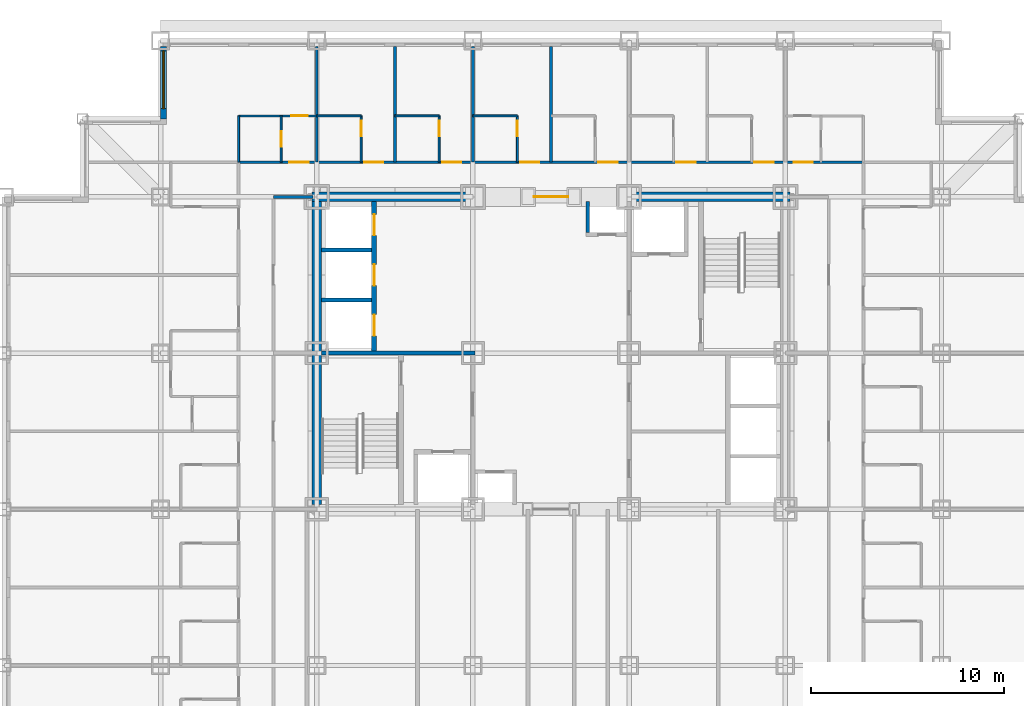
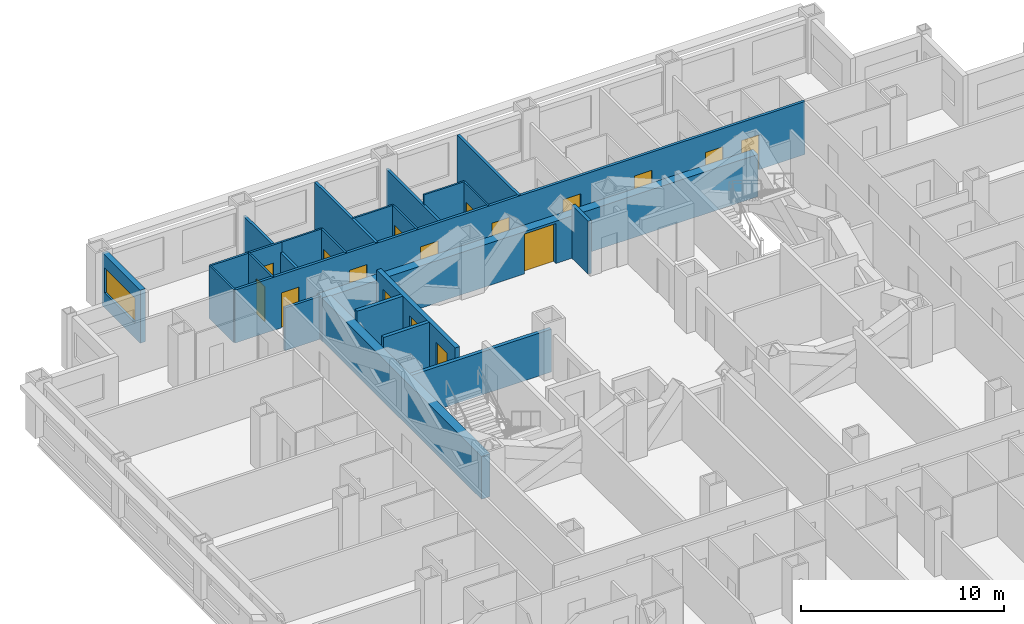
# One storey, part 8 of 11: 23 walls, 17 doors, 1 window, 18 openings.
"""IFC4 building model written with IfcOpenShell, lengths in metres."""

from ifc_helpers import new_model, si_unit, direction, frame, frame_2d, origin, place, context, subcontext, project, spatial, rectangle, extrude, material, layer, layer_set, type_object, element, fill, save


model = new_model("IFC4")

# Units and contexts
model_context = context("Model", 3, precision=1e-05, world=origin(), true_north=direction((0.0, 1.0)))
body_context = subcontext(model_context, "Body", "Model", "MODEL_VIEW")
ifc_project = project(units=[si_unit("LENGTHUNIT", "METRE"), si_unit("AREAUNIT", "SQUARE_METRE"), si_unit("VOLUMEUNIT", "CUBIC_METRE"), si_unit("PLANEANGLEUNIT", "RADIAN"), si_unit("MASSUNIT", "GRAM", prefix="KILO")], contexts=[model_context])

# Site, building, storey
site_placement = place(None, origin())
site = spatial("IfcSite", under=ifc_project, at=site_placement, CompositionType="ELEMENT")
building_placement = place(site_placement, origin())
building = spatial("IfcBuilding", under=site, at=building_placement, Name="Kopane Lantern Tower", CompositionType="ELEMENT")
storey_placement = place(building_placement, frame((0.0, 0.0, 60.199951171875)))
storey = spatial("IfcBuildingStorey", under=building, at=storey_placement, Name="L14", CompositionType="ELEMENT", Elevation=60.199951171875)

# Wall, opening, door
ifc_material_1 = material(Name="Gypsum board on steel studs", Category="steel")
ifc_layer_1 = layer(ifc_material_1, 0.1201171875)
ifc_layer_set_1 = layer_set([ifc_layer_1], Name="APARTMENT INTERNAL WALL 120")
wall_type_1 = type_object("IfcWallType", Name="APARTMENT INTERNAL WALL 120", PredefinedType="PARTITIONING", material=ifc_layer_set_1)
wall_1_placement = place(storey_placement, frame((12.14990234375, 44.699951171875, 0.0), z_axis=(0.0, 0.0, 1.0), x_axis=(1.0, 0.0, 0.0)))
wall_1 = element("IfcWall", 1, at=wall_1_placement, inside=storey, type_object=wall_type_1, Name="Apartment Internal Wall 120 L14", PredefinedType="PARTITIONING", context=body_context, shape_type="SweptSolid", body=[
    extrude(rectangle(XDim=4.050048828125, YDim=0.1201171875, at=frame_2d((2.02490234375, 0.0))), origin(), (0.0, 0.0, 1.0), 3.18994140625),
])
opening_1_placement = place(wall_1_placement, frame((2.72509765625, 0.0, 0.0)))
opening_1 = element("IfcOpeningElement", 2, at=opening_1_placement, cuts=wall_1, Name="Opening L14-075", PredefinedType="OPENING", context=body_context, shape_type="SweptSolid", body=[
    extrude(rectangle(XDim=0.85009765625, YDim=2.10009765625, at=frame_2d((0.425048828125, 1.050048828125))), frame((0.0, 0.070068359375, 0.0), z_axis=(0.0, -1.0, 0.0), x_axis=(1.0, 0.0, 0.0)), (0.0, 0.0, 1.0), 0.14013671875),
])
ifc_material_2 = material(Name="Timber door set", Category="wood")
door_type_1 = type_object("IfcDoorType", Name="DOOR D4 850x2100", OperationType="SINGLE_SWING_LEFT", PredefinedType="DOOR", material=ifc_material_2)
door_1_placement = place(opening_1_placement, origin())
door_1 = element("IfcDoor", 3, at=door_1_placement, inside=storey, type_object=door_type_1, Name="Door L14-075", OperationType="SINGLE_SWING_LEFT", OverallHeight=2.10009765625, OverallWidth=0.85009765625, PredefinedType="DOOR", context=body_context, shape_type="SweptSolid", body=[
    extrude(rectangle(XDim=0.85009765625, YDim=2.10009765625, at=frame_2d((0.425048828125, 1.050048828125))), frame((0.0, 0.02490234375, 0.0), z_axis=(0.0, -1.0, 0.0), x_axis=(1.0, 0.0, 0.0)), (0.0, 0.0, 1.0), 0.050048828125),
])
fill(opening_1, door_1)

# Wall
ifc_material_3 = material(Name="Moisture-resistant board on steel studs", Category="steel")
ifc_layer_2 = layer(ifc_material_3, 0.10009765625)
ifc_layer_set_2 = layer_set([ifc_layer_2], Name="BATHROOM WALL 100")
wall_type_2 = type_object("IfcWallType", Name="BATHROOM WALL 100", PredefinedType="PARTITIONING", material=ifc_layer_set_2)
wall_2_placement = place(storey_placement, frame((16.199951171875, 44.699951171875, 0.0), z_axis=(0.0, 0.0, 1.0), x_axis=(1.0, 0.0, 0.0)))
element("IfcWall", 4, at=wall_2_placement, inside=storey, type_object=wall_type_2, Name="Bathroom Wall 100 L14", PredefinedType="PARTITIONING", context=body_context, shape_type="SweptSolid", body=[
    extrude(rectangle(XDim=2.300048828125, YDim=0.10009765625, at=frame_2d((1.14990234375, 0.0))), origin(), (0.0, 0.0, 1.0), 3.18994140625),
])

# Wall, opening, door
wall_3_placement = place(storey_placement, frame((18.5, 42.300048828125, 0.0), z_axis=(0.0, 0.0, 1.0), x_axis=(0.0, 1.0, 0.0)))
wall_3 = element("IfcWall", 5, at=wall_3_placement, inside=storey, type_object=wall_type_2, Name="Bathroom Wall 100 L14", PredefinedType="PARTITIONING", context=body_context, shape_type="SweptSolid", body=[
    extrude(rectangle(XDim=2.39990234375, YDim=0.10009765625, at=frame_2d((1.199951171875, 0.0))), origin(), (0.0, 0.0, 1.0), 3.18994140625),
])
opening_2_placement = place(wall_3_placement, frame((1.35009765625, 0.0, 0.0)))
opening_2 = element("IfcOpeningElement", 6, at=opening_2_placement, cuts=wall_3, Name="Opening L14-023", PredefinedType="OPENING", context=body_context, shape_type="SweptSolid", body=[
    extrude(rectangle(XDim=0.800048828125, YDim=2.10009765625, at=frame_2d((0.39990234375, 1.050048828125))), frame((0.0, 0.06005859375, 0.0), z_axis=(0.0, -1.0, 0.0), x_axis=(1.0, 0.0, 0.0)), (0.0, 0.0, 1.0), 0.1201171875),
])
ifc_material_4 = material(Name="Timber door set", Category="wood")
door_type_2 = type_object("IfcDoorType", Name="DOOR D2 800x2100", OperationType="SINGLE_SWING_LEFT", PredefinedType="DOOR", material=ifc_material_4)
door_2_placement = place(opening_2_placement, origin())
door_2 = element("IfcDoor", 7, at=door_2_placement, inside=storey, type_object=door_type_2, Name="Door L14-023", OperationType="SINGLE_SWING_RIGHT", OverallHeight=2.10009765625, OverallWidth=0.800048828125, PredefinedType="DOOR", context=body_context, shape_type="SweptSolid", body=[
    extrude(rectangle(XDim=0.800048828125, YDim=2.10009765625, at=frame_2d((0.39990234375, 1.050048828125))), frame((0.0, 0.02490234375, 0.0), z_axis=(0.0, -1.0, 0.0), x_axis=(1.0, 0.0, 0.0)), (0.0, 0.0, 1.0), 0.050048828125),
])
fill(opening_2, door_2)

# Wall
wall_4_placement = place(storey_placement, frame((20.25, 44.699951171875, 0.0), z_axis=(0.0, 0.0, 1.0), x_axis=(1.0, 0.0, 0.0)))
element("IfcWall", 8, at=wall_4_placement, inside=storey, type_object=wall_type_2, Name="Bathroom Wall 100 L14", PredefinedType="PARTITIONING", context=body_context, shape_type="SweptSolid", body=[
    extrude(rectangle(XDim=2.300048828125, YDim=0.10009765625, at=frame_2d((1.14990234375, 0.0))), origin(), (0.0, 0.0, 1.0), 3.18994140625),
])

# Wall, opening, door
wall_5_placement = place(storey_placement, frame((22.550048828125, 42.300048828125, 0.0), z_axis=(0.0, 0.0, 1.0), x_axis=(0.0, 1.0, 0.0)))
wall_5 = element("IfcWall", 9, at=wall_5_placement, inside=storey, type_object=wall_type_2, Name="Bathroom Wall 100 L14", PredefinedType="PARTITIONING", context=body_context, shape_type="SweptSolid", body=[
    extrude(rectangle(XDim=2.39990234375, YDim=0.10009765625, at=frame_2d((1.199951171875, 0.0))), origin(), (0.0, 0.0, 1.0), 3.18994140625),
])
opening_3_placement = place(wall_5_placement, frame((1.35009765625, 0.0, 0.0)))
opening_3 = element("IfcOpeningElement", 10, at=opening_3_placement, cuts=wall_5, Name="Opening L14-025", PredefinedType="OPENING", context=body_context, shape_type="SweptSolid", body=[
    extrude(rectangle(XDim=0.800048828125, YDim=2.10009765625, at=frame_2d((0.39990234375, 1.050048828125))), frame((0.0, 0.06005859375, 0.0), z_axis=(0.0, -1.0, 0.0), x_axis=(1.0, 0.0, 0.0)), (0.0, 0.0, 1.0), 0.1201171875),
])
door_3_placement = place(opening_3_placement, origin())
door_3 = element("IfcDoor", 11, at=door_3_placement, inside=storey, type_object=door_type_2, Name="Door L14-025", OperationType="SINGLE_SWING_RIGHT", OverallHeight=2.10009765625, OverallWidth=0.800048828125, PredefinedType="DOOR", context=body_context, shape_type="SweptSolid", body=[
    extrude(rectangle(XDim=0.800048828125, YDim=2.10009765625, at=frame_2d((0.39990234375, 1.050048828125))), frame((0.0, 0.02490234375, 0.0), z_axis=(0.0, -1.0, 0.0), x_axis=(1.0, 0.0, 0.0)), (0.0, 0.0, 1.0), 0.050048828125),
])
fill(opening_3, door_3)

# Wall
wall_6_placement = place(storey_placement, frame((24.300048828125, 44.699951171875, 0.0), z_axis=(0.0, 0.0, 1.0), x_axis=(1.0, 0.0, 0.0)))
element("IfcWall", 12, at=wall_6_placement, inside=storey, type_object=wall_type_2, Name="Bathroom Wall 100 L14", PredefinedType="PARTITIONING", context=body_context, shape_type="SweptSolid", body=[
    extrude(rectangle(XDim=2.300048828125, YDim=0.10009765625, at=frame_2d((1.14990234375, 0.0))), origin(), (0.0, 0.0, 1.0), 3.18994140625),
])

# Wall, opening, door
wall_7_placement = place(storey_placement, frame((26.60009765625, 42.300048828125, 0.0), z_axis=(0.0, 0.0, 1.0), x_axis=(0.0, 1.0, 0.0)))
wall_7 = element("IfcWall", 13, at=wall_7_placement, inside=storey, type_object=wall_type_2, Name="Bathroom Wall 100 L14", PredefinedType="PARTITIONING", context=body_context, shape_type="SweptSolid", body=[
    extrude(rectangle(XDim=2.39990234375, YDim=0.10009765625, at=frame_2d((1.199951171875, 0.0))), origin(), (0.0, 0.0, 1.0), 3.18994140625),
])
opening_4_placement = place(wall_7_placement, frame((1.35009765625, 0.0, 0.0)))
opening_4 = element("IfcOpeningElement", 14, at=opening_4_placement, cuts=wall_7, Name="Opening L14-027", PredefinedType="OPENING", context=body_context, shape_type="SweptSolid", body=[
    extrude(rectangle(XDim=0.800048828125, YDim=2.10009765625, at=frame_2d((0.39990234375, 1.050048828125))), frame((0.0, 0.06005859375, 0.0), z_axis=(0.0, -1.0, 0.0), x_axis=(1.0, 0.0, 0.0)), (0.0, 0.0, 1.0), 0.1201171875),
])
door_4_placement = place(opening_4_placement, origin())
door_4 = element("IfcDoor", 15, at=door_4_placement, inside=storey, type_object=door_type_2, Name="Door L14-027", OperationType="SINGLE_SWING_RIGHT", OverallHeight=2.10009765625, OverallWidth=0.800048828125, PredefinedType="DOOR", context=body_context, shape_type="SweptSolid", body=[
    extrude(rectangle(XDim=0.800048828125, YDim=2.10009765625, at=frame_2d((0.39990234375, 1.050048828125))), frame((0.0, 0.02490234375, 0.0), z_axis=(0.0, -1.0, 0.0), x_axis=(1.0, 0.0, 0.0)), (0.0, 0.0, 1.0), 0.050048828125),
])
fill(opening_4, door_4)

wall_8_placement = place(storey_placement, frame((14.35009765625, 42.300048828125, 0.0), z_axis=(0.0, 0.0, 1.0), x_axis=(0.0, 1.0, 0.0)))
wall_8 = element("IfcWall", 16, at=wall_8_placement, inside=storey, type_object=wall_type_2, Name="Bathroom Wall 100 L14", PredefinedType="PARTITIONING", context=body_context, shape_type="SweptSolid", body=[
    extrude(rectangle(XDim=2.39990234375, YDim=0.10009765625, at=frame_2d((1.199951171875, 0.0))), origin(), (0.0, 0.0, 1.0), 3.18994140625),
])
opening_5_placement = place(wall_8_placement, frame((0.800048828125, 0.0, 0.0)))
opening_5 = element("IfcOpeningElement", 17, at=opening_5_placement, cuts=wall_8, Name="Opening L14-073", PredefinedType="OPENING", context=body_context, shape_type="SweptSolid", body=[
    extrude(rectangle(XDim=0.800048828125, YDim=2.10009765625, at=frame_2d((0.39990234375, 1.050048828125))), frame((0.0, 0.06005859375, 0.0), z_axis=(0.0, -1.0, 0.0), x_axis=(1.0, 0.0, 0.0)), (0.0, 0.0, 1.0), 0.1201171875),
])
door_5_placement = place(opening_5_placement, origin())
door_5 = element("IfcDoor", 18, at=door_5_placement, inside=storey, type_object=door_type_2, Name="Door L14-073", OperationType="SINGLE_SWING_LEFT", OverallHeight=2.10009765625, OverallWidth=0.800048828125, PredefinedType="DOOR", context=body_context, shape_type="SweptSolid", body=[
    extrude(rectangle(XDim=0.800048828125, YDim=2.10009765625, at=frame_2d((0.39990234375, 1.050048828125))), frame((0.0, 0.02490234375, 0.0), z_axis=(0.0, -1.0, 0.0), x_axis=(1.0, 0.0, 0.0)), (0.0, 0.0, 1.0), 0.050048828125),
])
fill(opening_5, door_5)

# Wall
wall_9_placement = place(storey_placement, frame((12.14990234375, 42.300048828125, 0.0), z_axis=(0.0, 0.0, 1.0), x_axis=(0.0, 1.0, 0.0)))
element("IfcWall", 19, at=wall_9_placement, inside=storey, type_object=wall_type_2, Name="Bathroom Wall 100 L14", PredefinedType="PARTITIONING", context=body_context, shape_type="SweptSolid", body=[
    extrude(rectangle(XDim=2.39990234375, YDim=0.10009765625, at=frame_2d((1.199951171875, 0.0))), origin(), (0.0, 0.0, 1.0), 3.18994140625),
])

# Wall, opening, door
ifc_material_5 = material(Name="Gypsum shaft wall EI 120", Category="gypsum")
ifc_layer_3 = layer(ifc_material_5, 0.5)
ifc_layer_set_3 = layer_set([ifc_layer_3], Name="CORE PERIMETER WALL 500 EI 120")
wall_type_3 = type_object("IfcWallType", Name="CORE PERIMETER WALL 500 EI 120", PredefinedType="SOLIDWALL", material=ifc_layer_set_3)
wall_10_placement = place(storey_placement, frame((15.949951171875, 40.5, 0.0), z_axis=(0.0, 0.0, 1.0), x_axis=(1.0, 0.0, 0.0)))
wall_10 = element("IfcWall", 20, at=wall_10_placement, inside=storey, type_object=wall_type_3, Name="Core shaft wall L14 PN", PredefinedType="SOLIDWALL", context=body_context, shape_type="SweptSolid", body=[
    extrude(rectangle(XDim=24.800048828125, YDim=0.5, at=frame_2d((12.39990234375, 0.0))), origin(), (0.0, 0.0, 1.0), 2.5400390625),
])
opening_6_placement = place(wall_10_placement, frame((11.5, 0.0, 0.0)))
opening_6 = element("IfcOpeningElement", 21, at=opening_6_placement, cuts=wall_10, Name="Opening 14.CE-N", PredefinedType="OPENING", context=body_context, shape_type="SweptSolid", body=[
    extrude(rectangle(XDim=1.800048828125, YDim=2.39990234375, at=frame_2d((0.89990234375, 1.199951171875))), frame((0.0, 0.260009765625, 0.0), z_axis=(0.0, -1.0, 0.0), x_axis=(1.0, 0.0, 0.0)), (0.0, 0.0, 1.0), 0.52001953125),
])
ifc_material_6 = material(Name="Steel door set", Category="steel")
door_type_3 = type_object("IfcDoorType", Name="CORE ENTRY DOOR 1800x2400 FD60S", OperationType="DOUBLE_DOOR_SINGLE_SWING", PredefinedType="DOOR", material=ifc_material_6)
door_6_placement = place(opening_6_placement, origin())
door_6 = element("IfcDoor", 22, at=door_6_placement, inside=storey, type_object=door_type_3, Name="Core entry door L14 north", OperationType="DOUBLE_DOOR_SINGLE_SWING", OverallHeight=2.39990234375, OverallWidth=1.800048828125, PredefinedType="DOOR", context=body_context, shape_type="SweptSolid", body=[
    extrude(rectangle(XDim=1.800048828125, YDim=2.39990234375, at=frame_2d((0.89990234375, 1.199951171875))), frame((0.0, 0.02490234375, 0.0), z_axis=(0.0, -1.0, 0.0), x_axis=(1.0, 0.0, 0.0)), (0.0, 0.0, 1.0), 0.050048828125),
])
fill(opening_6, door_6)

# Wall
wall_11_placement = place(storey_placement, frame((16.199951171875, 24.550048828125, 0.0), z_axis=(0.0, 0.0, 1.0), x_axis=(0.0, 1.0, 0.0)))
element("IfcWall", 23, at=wall_11_placement, inside=storey, type_object=wall_type_3, Name="Core shaft wall L14 PW", PredefinedType="SOLIDWALL", context=body_context, shape_type="SweptSolid", body=[
    extrude(rectangle(XDim=15.699951171875, YDim=0.5, at=frame_2d((7.85009765625, 0.0))), origin(), (0.0, 0.0, 1.0), 2.577880859375),
])

# Wall, openings, doors
ifc_material_7 = material(Name="Gypsum shaft wall EI 120", Category="gypsum")
ifc_layer_4 = layer(ifc_material_7, 0.25)
ifc_layer_set_4 = layer_set([ifc_layer_4], Name="CORE SHAFT WALL 250 EI 120")
wall_type_4 = type_object("IfcWallType", Name="CORE SHAFT WALL 250 EI 120", PredefinedType="SOLIDWALL", material=ifc_layer_set_4)
wall_12_placement = place(storey_placement, frame((19.175048828125, 32.5, 0.0), z_axis=(0.0, 0.0, 1.0), x_axis=(0.0, 1.0, 0.0)))
wall_12 = element("IfcWall", 24, at=wall_12_placement, inside=storey, type_object=wall_type_4, Name="Core shaft wall L14 XLH", PredefinedType="SOLIDWALL", context=body_context, shape_type="SweptSolid", body=[
    extrude(rectangle(XDim=7.75, YDim=0.25, at=frame_2d((3.875, 0.0))), origin(), (0.0, 0.0, 1.0), 3.18994140625),
])
opening_7_placement = place(wall_12_placement, frame((0.800048828125, 0.0, 0.0)))
opening_7 = element("IfcOpeningElement", 25, at=opening_7_placement, cuts=wall_12, Name="Opening 14.LD-LH1", PredefinedType="OPENING", context=body_context, shape_type="SweptSolid", body=[
    extrude(rectangle(XDim=1.10009765625, YDim=2.39990234375, at=frame_2d((0.550048828125, 1.199951171875))), frame((0.0, 0.135009765625, 0.0), z_axis=(0.0, -1.0, 0.0), x_axis=(1.0, 0.0, 0.0)), (0.0, 0.0, 1.0), 0.27001953125),
])
opening_8_placement = place(wall_12_placement, frame((3.39990234375, 0.0, 0.0)))
opening_8 = element("IfcOpeningElement", 26, at=opening_8_placement, cuts=wall_12, Name="Opening 14.LD-LH2", PredefinedType="OPENING", context=body_context, shape_type="SweptSolid", body=[
    extrude(rectangle(XDim=1.10009765625, YDim=2.39990234375, at=frame_2d((0.550048828125, 1.199951171875))), frame((0.0, 0.135009765625, 0.0), z_axis=(0.0, -1.0, 0.0), x_axis=(1.0, 0.0, 0.0)), (0.0, 0.0, 1.0), 0.27001953125),
])
opening_9_placement = place(wall_12_placement, frame((6.0, 0.0, 0.0)))
opening_9 = element("IfcOpeningElement", 27, at=opening_9_placement, cuts=wall_12, Name="Opening 14.LD-LH3", PredefinedType="OPENING", context=body_context, shape_type="SweptSolid", body=[
    extrude(rectangle(XDim=1.10009765625, YDim=2.39990234375, at=frame_2d((0.550048828125, 1.199951171875))), frame((0.0, 0.135009765625, 0.0), z_axis=(0.0, -1.0, 0.0), x_axis=(1.0, 0.0, 0.0)), (0.0, 0.0, 1.0), 0.27001953125),
])
ifc_material_8 = material(Name="Steel door set", Category="steel")
door_type_4 = type_object("IfcDoorType", Name="LIFT LANDING DOOR 1100x2400 FD60", OperationType="DOUBLE_DOOR_SLIDING", PredefinedType="DOOR", material=ifc_material_8)
door_7_placement = place(opening_7_placement, origin())
door_7 = element("IfcDoor", 28, at=door_7_placement, inside=storey, type_object=door_type_4, Name="Landing door LH1 L14", OperationType="DOUBLE_DOOR_SLIDING", OverallHeight=2.39990234375, OverallWidth=1.10009765625, PredefinedType="DOOR", context=body_context, shape_type="SweptSolid", body=[
    extrude(rectangle(XDim=1.10009765625, YDim=2.39990234375, at=frame_2d((0.550048828125, 1.199951171875))), frame((0.0, 0.02490234375, 0.0), z_axis=(0.0, -1.0, 0.0), x_axis=(1.0, 0.0, 0.0)), (0.0, 0.0, 1.0), 0.050048828125),
])
fill(opening_7, door_7)
door_8_placement = place(opening_8_placement, origin())
door_8 = element("IfcDoor", 29, at=door_8_placement, inside=storey, type_object=door_type_4, Name="Landing door LH2 L14", OperationType="DOUBLE_DOOR_SLIDING", OverallHeight=2.39990234375, OverallWidth=1.10009765625, PredefinedType="DOOR", context=body_context, shape_type="SweptSolid", body=[
    extrude(rectangle(XDim=1.10009765625, YDim=2.39990234375, at=frame_2d((0.550048828125, 1.199951171875))), frame((0.0, 0.02490234375, 0.0), z_axis=(0.0, -1.0, 0.0), x_axis=(1.0, 0.0, 0.0)), (0.0, 0.0, 1.0), 0.050048828125),
])
fill(opening_8, door_8)
door_9_placement = place(opening_9_placement, origin())
door_9 = element("IfcDoor", 30, at=door_9_placement, inside=storey, type_object=door_type_4, Name="Landing door LH3 L14", OperationType="DOUBLE_DOOR_SLIDING", OverallHeight=2.39990234375, OverallWidth=1.10009765625, PredefinedType="DOOR", context=body_context, shape_type="SweptSolid", body=[
    extrude(rectangle(XDim=1.10009765625, YDim=2.39990234375, at=frame_2d((0.550048828125, 1.199951171875))), frame((0.0, 0.02490234375, 0.0), z_axis=(0.0, -1.0, 0.0), x_axis=(1.0, 0.0, 0.0)), (0.0, 0.0, 1.0), 0.050048828125),
])
fill(opening_9, door_9)

ifc_material_9 = material(Name="Gypsum board on steel studs", Category="steel")
ifc_layer_5 = layer(ifc_material_9, 0.14990234375)
ifc_layer_set_5 = layer_set([ifc_layer_5], Name="CORRIDOR WALL 150 EI 60")
wall_type_5 = type_object("IfcWallType", Name="CORRIDOR WALL 150 EI 60", PredefinedType="PARTITIONING", material=ifc_layer_set_5)
wall_13_placement = place(storey_placement, frame((12.14990234375, 42.300048828125, 0.0), z_axis=(0.0, 0.0, 1.0), x_axis=(1.0, 0.0, 0.0)))
wall_13 = element("IfcWall", 31, at=wall_13_placement, inside=storey, type_object=wall_type_5, Name="Corridor Wall 150 Ei 60 L14", PredefinedType="PARTITIONING", context=body_context, shape_type="SweptSolid", body=[
    extrude(rectangle(XDim=32.400146484375, YDim=0.14990234375, at=frame_2d((16.2001953125, 0.0))), origin(), (0.0, 0.0, 1.0), 3.18994140625),
])
opening_10_placement = place(wall_13_placement, frame((6.5, 0.0, 0.0)))
opening_10 = element("IfcOpeningElement", 32, at=opening_10_placement, cuts=wall_13, Name="Opening L14-024", PredefinedType="OPENING", context=body_context, shape_type="SweptSolid", body=[
    extrude(rectangle(XDim=1.0, YDim=2.10009765625, at=frame_2d((0.5, 1.050048828125))), frame((0.0, 0.0849609375, 0.0), z_axis=(0.0, -1.0, 0.0), x_axis=(1.0, 0.0, 0.0)), (0.0, 0.0, 1.0), 0.169921875),
])
opening_11_placement = place(wall_13_placement, frame((10.550048828125, 0.0, 0.0)))
opening_11 = element("IfcOpeningElement", 33, at=opening_11_placement, cuts=wall_13, Name="Opening L14-026", PredefinedType="OPENING", context=body_context, shape_type="SweptSolid", body=[
    extrude(rectangle(XDim=1.0, YDim=2.10009765625, at=frame_2d((0.5, 1.050048828125))), frame((0.0, 0.0849609375, 0.0), z_axis=(0.0, -1.0, 0.0), x_axis=(1.0, 0.0, 0.0)), (0.0, 0.0, 1.0), 0.169921875),
])
opening_12_placement = place(wall_13_placement, frame((14.60009765625, 0.0, 0.0)))
opening_12 = element("IfcOpeningElement", 34, at=opening_12_placement, cuts=wall_13, Name="Opening L14-028", PredefinedType="OPENING", context=body_context, shape_type="SweptSolid", body=[
    extrude(rectangle(XDim=1.0, YDim=2.10009765625, at=frame_2d((0.5, 1.050048828125))), frame((0.0, 0.0849609375, 0.0), z_axis=(0.0, -1.0, 0.0), x_axis=(1.0, 0.0, 0.0)), (0.0, 0.0, 1.0), 0.169921875),
])
opening_13_placement = place(wall_13_placement, frame((18.64990234375, 0.0, 0.0)))
opening_13 = element("IfcOpeningElement", 35, at=opening_13_placement, cuts=wall_13, Name="Opening L14-030", PredefinedType="OPENING", context=body_context, shape_type="SweptSolid", body=[
    extrude(rectangle(XDim=1.0, YDim=2.10009765625, at=frame_2d((0.5, 1.050048828125))), frame((0.0, 0.0849609375, 0.0), z_axis=(0.0, -1.0, 0.0), x_axis=(1.0, 0.0, 0.0)), (0.0, 0.0, 1.0), 0.169921875),
])
opening_14_placement = place(wall_13_placement, frame((22.699951171875, 0.0, 0.0)))
opening_14 = element("IfcOpeningElement", 36, at=opening_14_placement, cuts=wall_13, Name="Opening L14-032", PredefinedType="OPENING", context=body_context, shape_type="SweptSolid", body=[
    extrude(rectangle(XDim=1.0, YDim=2.10009765625, at=frame_2d((0.5, 1.050048828125))), frame((0.0, 0.0849609375, 0.0), z_axis=(0.0, -1.0, 0.0), x_axis=(1.0, 0.0, 0.0)), (0.0, 0.0, 1.0), 0.169921875),
])
opening_15_placement = place(wall_13_placement, frame((26.75, 0.0, 0.0)))
opening_15 = element("IfcOpeningElement", 37, at=opening_15_placement, cuts=wall_13, Name="Opening L14-034", PredefinedType="OPENING", context=body_context, shape_type="SweptSolid", body=[
    extrude(rectangle(XDim=1.0, YDim=2.10009765625, at=frame_2d((0.5, 1.050048828125))), frame((0.0, 0.0849609375, 0.0), z_axis=(0.0, -1.0, 0.0), x_axis=(1.0, 0.0, 0.0)), (0.0, 0.0, 1.0), 0.169921875),
])
opening_16_placement = place(wall_13_placement, frame((28.77490234375, 0.0, 0.0)))
opening_16 = element("IfcOpeningElement", 38, at=opening_16_placement, cuts=wall_13, Name="Opening L14-071", PredefinedType="OPENING", context=body_context, shape_type="SweptSolid", body=[
    extrude(rectangle(XDim=1.0, YDim=2.10009765625, at=frame_2d((0.5, 1.050048828125))), frame((0.0, 0.0849609375, 0.0), z_axis=(0.0, -1.0, 0.0), x_axis=(1.0, 0.0, 0.0)), (0.0, 0.0, 1.0), 0.169921875),
])
opening_17_placement = place(wall_13_placement, frame((2.625, 0.0, 0.0)))
opening_17 = element("IfcOpeningElement", 39, at=opening_17_placement, cuts=wall_13, Name="Opening L14-074", PredefinedType="OPENING", context=body_context, shape_type="SweptSolid", body=[
    extrude(rectangle(XDim=1.0, YDim=2.10009765625, at=frame_2d((0.5, 1.050048828125))), frame((0.0, 0.0849609375, 0.0), z_axis=(0.0, -1.0, 0.0), x_axis=(1.0, 0.0, 0.0)), (0.0, 0.0, 1.0), 0.169921875),
])
ifc_material_10 = material(Name="Steel door set", Category="steel")
door_type_5 = type_object("IfcDoorType", Name="DOOR D1 1000x2100 FD30S", OperationType="SINGLE_SWING_LEFT", PredefinedType="DOOR", material=ifc_material_10)
door_10_placement = place(opening_10_placement, origin())
door_10 = element("IfcDoor", 40, at=door_10_placement, inside=storey, type_object=door_type_5, Name="Door L14-024", OperationType="SINGLE_SWING_LEFT", OverallHeight=2.10009765625, OverallWidth=1.0, PredefinedType="DOOR", context=body_context, shape_type="SweptSolid", body=[
    extrude(rectangle(XDim=1.0, YDim=2.10009765625, at=frame_2d((0.5, 1.050048828125))), frame((0.0, 0.02490234375, 0.0), z_axis=(0.0, -1.0, 0.0), x_axis=(1.0, 0.0, 0.0)), (0.0, 0.0, 1.0), 0.050048828125),
])
fill(opening_10, door_10)
door_11_placement = place(opening_11_placement, origin())
door_11 = element("IfcDoor", 41, at=door_11_placement, inside=storey, type_object=door_type_5, Name="Door L14-026", OperationType="SINGLE_SWING_LEFT", OverallHeight=2.10009765625, OverallWidth=1.0, PredefinedType="DOOR", context=body_context, shape_type="SweptSolid", body=[
    extrude(rectangle(XDim=1.0, YDim=2.10009765625, at=frame_2d((0.5, 1.050048828125))), frame((0.0, 0.02490234375, 0.0), z_axis=(0.0, -1.0, 0.0), x_axis=(1.0, 0.0, 0.0)), (0.0, 0.0, 1.0), 0.050048828125),
])
fill(opening_11, door_11)
door_12_placement = place(opening_12_placement, origin())
door_12 = element("IfcDoor", 42, at=door_12_placement, inside=storey, type_object=door_type_5, Name="Door L14-028", OperationType="SINGLE_SWING_LEFT", OverallHeight=2.10009765625, OverallWidth=1.0, PredefinedType="DOOR", context=body_context, shape_type="SweptSolid", body=[
    extrude(rectangle(XDim=1.0, YDim=2.10009765625, at=frame_2d((0.5, 1.050048828125))), frame((0.0, 0.02490234375, 0.0), z_axis=(0.0, -1.0, 0.0), x_axis=(1.0, 0.0, 0.0)), (0.0, 0.0, 1.0), 0.050048828125),
])
fill(opening_12, door_12)
door_13_placement = place(opening_13_placement, origin())
door_13 = element("IfcDoor", 43, at=door_13_placement, inside=storey, type_object=door_type_5, Name="Door L14-030", OperationType="SINGLE_SWING_LEFT", OverallHeight=2.10009765625, OverallWidth=1.0, PredefinedType="DOOR", context=body_context, shape_type="SweptSolid", body=[
    extrude(rectangle(XDim=1.0, YDim=2.10009765625, at=frame_2d((0.5, 1.050048828125))), frame((0.0, 0.02490234375, 0.0), z_axis=(0.0, -1.0, 0.0), x_axis=(1.0, 0.0, 0.0)), (0.0, 0.0, 1.0), 0.050048828125),
])
fill(opening_13, door_13)
door_14_placement = place(opening_14_placement, origin())
door_14 = element("IfcDoor", 44, at=door_14_placement, inside=storey, type_object=door_type_5, Name="Door L14-032", OperationType="SINGLE_SWING_LEFT", OverallHeight=2.10009765625, OverallWidth=1.0, PredefinedType="DOOR", context=body_context, shape_type="SweptSolid", body=[
    extrude(rectangle(XDim=1.0, YDim=2.10009765625, at=frame_2d((0.5, 1.050048828125))), frame((0.0, 0.02490234375, 0.0), z_axis=(0.0, -1.0, 0.0), x_axis=(1.0, 0.0, 0.0)), (0.0, 0.0, 1.0), 0.050048828125),
])
fill(opening_14, door_14)
door_15_placement = place(opening_15_placement, origin())
door_15 = element("IfcDoor", 45, at=door_15_placement, inside=storey, type_object=door_type_5, Name="Door L14-034", OperationType="SINGLE_SWING_LEFT", OverallHeight=2.10009765625, OverallWidth=1.0, PredefinedType="DOOR", context=body_context, shape_type="SweptSolid", body=[
    extrude(rectangle(XDim=1.0, YDim=2.10009765625, at=frame_2d((0.5, 1.050048828125))), frame((0.0, 0.02490234375, 0.0), z_axis=(0.0, -1.0, 0.0), x_axis=(1.0, 0.0, 0.0)), (0.0, 0.0, 1.0), 0.050048828125),
])
fill(opening_15, door_15)
door_16_placement = place(opening_16_placement, origin())
door_16 = element("IfcDoor", 46, at=door_16_placement, inside=storey, type_object=door_type_5, Name="Door L14-071", OperationType="SINGLE_SWING_RIGHT", OverallHeight=2.10009765625, OverallWidth=1.0, PredefinedType="DOOR", context=body_context, shape_type="SweptSolid", body=[
    extrude(rectangle(XDim=1.0, YDim=2.10009765625, at=frame_2d((0.5, 1.050048828125))), frame((0.0, 0.02490234375, 0.0), z_axis=(0.0, -1.0, 0.0), x_axis=(1.0, 0.0, 0.0)), (0.0, 0.0, 1.0), 0.050048828125),
])
fill(opening_16, door_16)
door_17_placement = place(opening_17_placement, origin())
door_17 = element("IfcDoor", 47, at=door_17_placement, inside=storey, type_object=door_type_5, Name="Door L14-074", OperationType="SINGLE_SWING_LEFT", OverallHeight=2.10009765625, OverallWidth=1.0, PredefinedType="DOOR", context=body_context, shape_type="SweptSolid", body=[
    extrude(rectangle(XDim=1.0, YDim=2.10009765625, at=frame_2d((0.5, 1.050048828125))), frame((0.0, 0.02490234375, 0.0), z_axis=(0.0, -1.0, 0.0), x_axis=(1.0, 0.0, 0.0)), (0.0, 0.0, 1.0), 0.050048828125),
])
fill(opening_17, door_17)

# Walls
wall_14_placement = place(storey_placement, frame((16.0, 40.5, 0.0), z_axis=(0.0, 0.0, 1.0), x_axis=(-1.0, 0.0, 0.0)))
element("IfcWall", 48, at=wall_14_placement, inside=storey, type_object=wall_type_5, Name="Corridor Wall 150 Ei 60 L14", PredefinedType="PARTITIONING", context=body_context, shape_type="SweptSolid", body=[
    extrude(rectangle(XDim=2.050048828125, YDim=0.14990234375, at=frame_2d((1.02490234375, 0.0))), origin(), (0.0, 0.0, 1.0), 2.577880859375),
])
ifc_material_11 = material(Name="Gypsum board on steel studs", Category="steel")
ifc_layer_6 = layer(ifc_material_11, 0.14990234375)
ifc_layer_set_6 = layer_set([ifc_layer_6], Name="DEMISING WALL 150 EI 60")
wall_type_6 = type_object("IfcWallType", Name="DEMISING WALL 150 EI 60", PredefinedType="PARTITIONING", material=ifc_layer_set_6)
wall_15_placement = place(storey_placement, frame((20.25, 42.300048828125, 0.0), z_axis=(0.0, 0.0, 1.0), x_axis=(0.0, 1.0, 0.0)))
element("IfcWall", 49, at=wall_15_placement, inside=storey, type_object=wall_type_6, Name="Demising Wall 150 Ei 60 L14", PredefinedType="PARTITIONING", context=body_context, shape_type="SweptSolid", body=[
    extrude(rectangle(XDim=6.0, YDim=0.14990234375, at=frame_2d((3.0, 0.0))), origin(), (0.0, 0.0, 1.0), 3.18994140625),
])
wall_16_placement = place(storey_placement, frame((24.300048828125, 42.300048828125, 0.0), z_axis=(0.0, 0.0, 1.0), x_axis=(0.0, 1.0, 0.0)))
element("IfcWall", 50, at=wall_16_placement, inside=storey, type_object=wall_type_6, Name="Demising Wall 150 Ei 60 L14", PredefinedType="PARTITIONING", context=body_context, shape_type="SweptSolid", body=[
    extrude(rectangle(XDim=6.0, YDim=0.14990234375, at=frame_2d((3.0, 0.0))), origin(), (0.0, 0.0, 1.0), 2.577880859375),
])
wall_17_placement = place(storey_placement, frame((28.35009765625, 42.300048828125, 0.0), z_axis=(0.0, 0.0, 1.0), x_axis=(0.0, 1.0, 0.0)))
element("IfcWall", 51, at=wall_17_placement, inside=storey, type_object=wall_type_6, Name="Demising Wall 150 Ei 60 L14", PredefinedType="PARTITIONING", context=body_context, shape_type="SweptSolid", body=[
    extrude(rectangle(XDim=6.0, YDim=0.14990234375, at=frame_2d((3.0, 0.0))), origin(), (0.0, 0.0, 1.0), 3.18994140625),
])
wall_18_placement = place(storey_placement, frame((16.199951171875, 42.300048828125, 0.0), z_axis=(0.0, 0.0, 1.0), x_axis=(0.0, 1.0, 0.0)))
element("IfcWall", 52, at=wall_18_placement, inside=storey, type_object=wall_type_6, Name="Demising Wall 150 Ei 60 L14", PredefinedType="PARTITIONING", context=body_context, shape_type="SweptSolid", body=[
    extrude(rectangle(XDim=6.0, YDim=0.14990234375, at=frame_2d((3.0, 0.0))), origin(), (0.0, 0.0, 1.0), 2.577880859375),
])

# Wall, opening, window
ifc_material_12 = material(Name="Terracotta rainscreen on light steel framing", Category="masonry")
ifc_layer_7 = layer(ifc_material_12, 0.300048828125)
ifc_layer_set_7 = layer_set([ifc_layer_7], Name="EXTERNAL WALL EW1 300 TERRACOTTA")
wall_type_7 = type_object("IfcWallType", Name="EXTERNAL WALL EW1 300 TERRACOTTA", PredefinedType="SOLIDWALL", material=ifc_layer_set_7)
wall_19_placement = place(storey_placement, frame((8.25, 48.300048828125, 0.0), z_axis=(0.0, 0.0, 1.0), x_axis=(0.0, -1.0, 0.0)))
wall_19 = element("IfcWall", 53, at=wall_19_placement, inside=storey, type_object=wall_type_7, Name="External wall W L14", PredefinedType="SOLIDWALL", context=body_context, shape_type="SweptSolid", body=[
    extrude(rectangle(XDim=3.75, YDim=0.300048828125, at=frame_2d((1.875, 0.0))), origin(), (0.0, 0.0, 1.0), 3.18994140625),
])
opening_18_placement = place(wall_19_placement, frame((0.22509765625, 0.0, 0.89990234375)))
opening_18 = element("IfcOpeningElement", 54, at=opening_18_placement, cuts=wall_19, Name="Opening WR300150", PredefinedType="OPENING", context=body_context, shape_type="SweptSolid", body=[
    extrude(rectangle(XDim=3.0, YDim=1.5, at=frame_2d((1.5, 0.75))), frame((0.0, 0.159912109375, 0.0), z_axis=(0.0, -1.0, 0.0), x_axis=(1.0, 0.0, 0.0)), (0.0, 0.0, 1.0), 0.320068359375),
])
ifc_material_13 = material(Name="Aluminium and clear glass", Category="aluminium")
window_type = type_object("IfcWindowType", Name="RIBBON WINDOW WR300150 3000x1500", PartitioningType="SINGLE_PANEL", PredefinedType="WINDOW", material=ifc_material_13)
window_placement = place(opening_18_placement, origin())
window = element("IfcWindow", 55, at=window_placement, inside=storey, type_object=window_type, Name="Window W L14", OverallHeight=1.5, OverallWidth=3.0, PartitioningType="SINGLE_PANEL", PredefinedType="WINDOW", context=body_context, shape_type="SweptSolid", body=[
    extrude(rectangle(XDim=3.0, YDim=1.5, at=frame_2d((1.5, 0.75))), frame((0.0, 0.030029296875, 0.0), z_axis=(0.0, -1.0, 0.0), x_axis=(1.0, 0.0, 0.0)), (0.0, 0.0, 1.0), 0.06005859375),
])
fill(opening_18, window)

# Walls
ifc_material_14 = material(Name="Gypsum shaft wall EI 120", Category="gypsum")
ifc_layer_8 = layer(ifc_material_14, 0.199951171875)
ifc_layer_set_8 = layer_set([ifc_layer_8], Name="SHAFT WALL 200 EI 120")
wall_type_8 = type_object("IfcWallType", Name="SHAFT WALL 200 EI 120", PredefinedType="SOLIDWALL", material=ifc_layer_set_8)
wall_20_placement = place(storey_placement, frame((16.449951171875, 32.39990234375, 0.0), z_axis=(0.0, 0.0, 1.0), x_axis=(1.0, 0.0, 0.0)))
element("IfcWall", 56, at=wall_20_placement, inside=storey, type_object=wall_type_8, Name="Core shaft wall L14 Y324W", PredefinedType="SOLIDWALL", context=body_context, shape_type="SweptSolid", body=[
    extrude(rectangle(XDim=7.949951171875, YDim=0.199951171875, at=frame_2d((3.97509765625, 0.0))), origin(), (0.0, 0.0, 1.0), 2.577880859375),
])
for number, where, z_axis, x_axis, name in (
    (57, (16.449951171875, 35.14990234375, 0.0), (0.0, 0.0, 1.0), (1.0, 0.0, 0.0), "Core shaft wall L14 YLH12"),
    (58, (16.449951171875, 37.75, 0.0), (0.0, 0.0, 1.0), (1.0, 0.0, 0.0), "Core shaft wall L14 YLH23"),
):
    element("IfcWall", number, at=place(storey_placement, frame(where, z_axis=z_axis, x_axis=x_axis)), inside=storey, type_object=wall_type_8, Name=name, PredefinedType="SOLIDWALL", context=body_context, shape_type="SweptSolid", body=[
        extrude(rectangle(XDim=2.60009765625, YDim=0.199951171875, at=frame_2d((1.300048828125, 0.0))), origin(), (0.0, 0.0, 1.0), 3.18994140625),
    ])
wall_21_placement = place(storey_placement, frame((30.25, 38.64990234375, 0.0), z_axis=(0.0, 0.0, 1.0), x_axis=(0.0, 1.0, 0.0)))
element("IfcWall", 59, at=wall_21_placement, inside=storey, type_object=wall_type_8, Name="Core shaft wall L14 XRS2", PredefinedType="SOLIDWALL", context=body_context, shape_type="SweptSolid", body=[
    extrude(rectangle(XDim=1.60009765625, YDim=0.199951171875, at=frame_2d((0.800048828125, 0.0))), origin(), (0.0, 0.0, 1.0), 3.18994140625),
])

save(model, "model.ifc")
